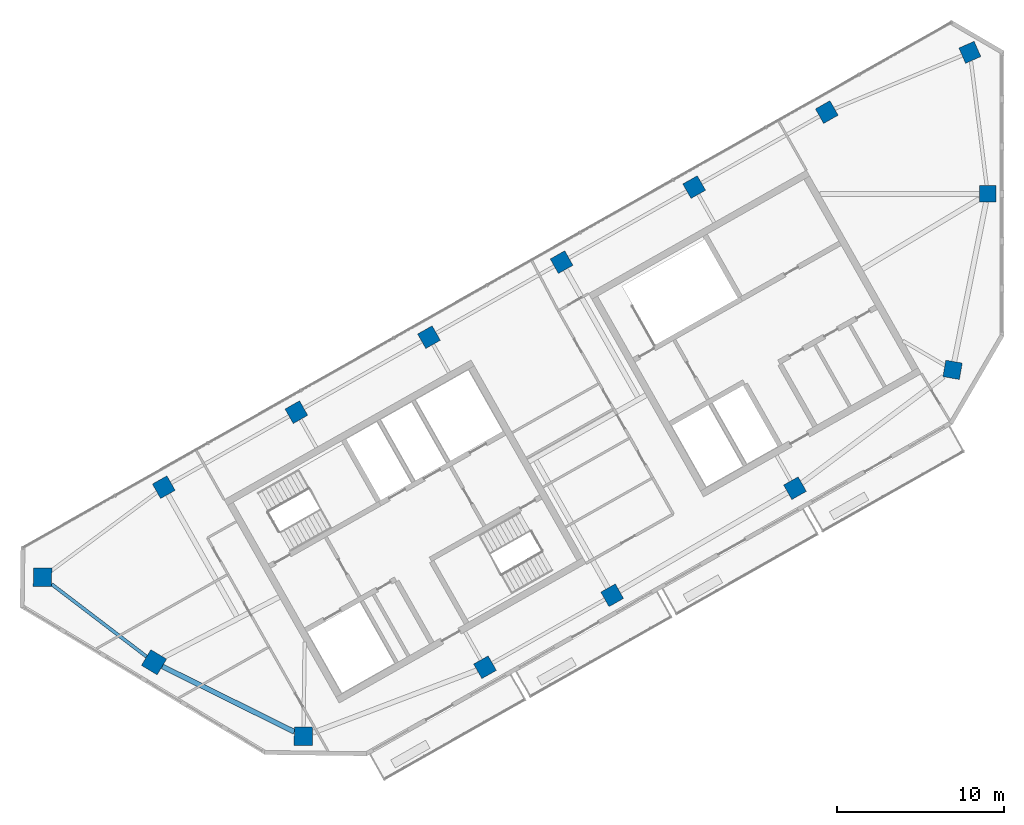
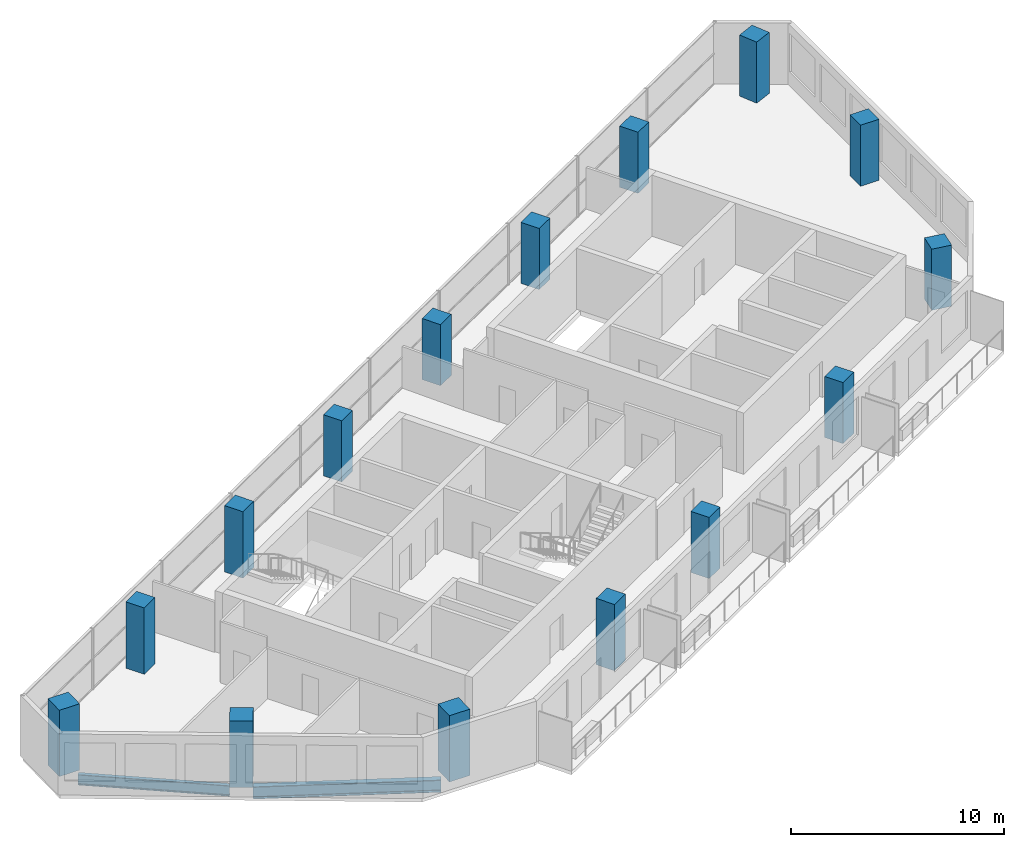
# One storey, part 1 of 10: 15 columns, 2 beams.
"""IFC4 building model written with IfcOpenShell, lengths in metres."""

import ifcopenshell
import ifcopenshell.guid

model = None  # the IFC model being written
_history = None  # IfcOwnerHistory: only IFC2X3 demands one
_inside = {}  # id of a spatial element -> (the spatial element, [elements in it])
_under = {}  # id of a project, library or spatial element -> (it, [spatial elements below it])
_declared = {}  # id of a project -> (the project, [libraries it declares])
_typed = {}  # id of a type object -> (the type object, [elements of that type])
_made_of = {}  # id of a material, layer set ... -> (it, [elements and type objects made of it])


def new_model(schema):
    """Start an empty IFC model of exactly this schema.

    Asked for "IFC4X3", IfcOpenShell would pick the latest addendum, in which some entities
    have other attributes; the version numbers below select the first issue.
    IFC2X3 requires an IfcOwnerHistory on every rooted entity: one is made here for all.
    """
    global model, _history
    if schema == "IFC4X3":
        model = ifcopenshell.file(schema_version=(4, 3, 0, 0))
    else:
        model = ifcopenshell.file(schema=schema)
    _inside.clear()
    _under.clear()
    _declared.clear()
    _typed.clear()
    _made_of.clear()
    _history = None
    if model.schema == "IFC2X3":
        org = make("IfcOrganization", Name="unknown")
        user = make(
            "IfcPersonAndOrganization",
            ThePerson=make("IfcPerson", FamilyName="unknown"),
            TheOrganization=org,
        )
        app = make(
            "IfcApplication",
            ApplicationDeveloper=org,
            Version="unknown",
            ApplicationFullName="unknown",
            ApplicationIdentifier="unknown",
        )
        _history = make(
            "IfcOwnerHistory",
            OwningUser=user,
            OwningApplication=app,
            ChangeAction="ADDED",
            CreationDate=0,
        )
    return model


def make(cls, **values):
    """One entity of the class cls with the attributes given. An attribute that is None is left unset."""
    return model.create_entity(
        cls, **{name: value for name, value in values.items() if value is not None}
    )


def rooted(cls, **values):
    """An entity with a GlobalId (a new one), such as an element, a storey or a relation."""
    return make(cls, GlobalId=ifcopenshell.guid.new(), OwnerHistory=_history, **values)


def si_unit(unit_type, name, prefix=None):
    """IfcSIUnit, for example si_unit("LENGTHUNIT", "METRE", prefix="MILLI")."""
    return make("IfcSIUnit", UnitType=unit_type, Prefix=prefix, Name=name)


def assignment(units):
    """IfcUnitAssignment: the units of a project."""
    return None if units is None else make("IfcUnitAssignment", Units=units)


def point(xyz):
    """IfcCartesianPoint."""
    return None if xyz is None else make("IfcCartesianPoint", Coordinates=xyz)


def direction(xyz):
    """IfcDirection."""
    return None if xyz is None else make("IfcDirection", DirectionRatios=xyz)


def frame(location, z_axis=None, x_axis=None):
    """IfcAxis2Placement3D, a coordinate frame: its origin and axes. An axis left out is left unset."""
    return make(
        "IfcAxis2Placement3D",
        Location=point(location),
        Axis=direction(z_axis),
        RefDirection=direction(x_axis),
    )


def frame_2d(location, x_axis=None):
    """IfcAxis2Placement2D, a coordinate frame in the plane: its origin and x axis."""
    return make(
        "IfcAxis2Placement2D", Location=point(location), RefDirection=direction(x_axis)
    )


def origin():
    """The frame at (0, 0, 0) with its axes left unset."""
    return frame((0.0, 0.0, 0.0))


def origin_2d():
    """The frame at (0, 0) in the plane with its x axis left unset."""
    return frame_2d((0.0, 0.0))


def place(relative_to, where):
    """IfcLocalPlacement: puts the frame where relative to a parent placement (None: the world)."""
    return make(
        "IfcLocalPlacement", PlacementRelTo=relative_to, RelativePlacement=where
    )


def context(
    kind, dimensions, precision=None, world=None, true_north=None, identifier=None
):
    """IfcGeometricRepresentationContext, for example the 3D "Model" context."""
    return make(
        "IfcGeometricRepresentationContext",
        ContextIdentifier=identifier,
        ContextType=kind,
        CoordinateSpaceDimension=dimensions,
        Precision=precision,
        WorldCoordinateSystem=world,
        TrueNorth=true_north,
    )


def subcontext(parent, identifier, kind, view, scale=None):
    """IfcGeometricRepresentationSubContext, for example "Body" below "Model"."""
    return make(
        "IfcGeometricRepresentationSubContext",
        ContextIdentifier=identifier,
        ContextType=kind,
        ParentContext=parent,
        TargetScale=scale,
        TargetView=view,
    )


def project(units=None, contexts=None):
    """IfcProject with its units and contexts."""
    return rooted(
        "IfcProject",
        Name="project",
        RepresentationContexts=contexts,
        UnitsInContext=assignment(units),
    )


def spatial(cls, under=None, at=None, **own):
    """A site, building, storey or space (cls), placed at a placement, below another one or the project."""
    s = rooted(cls, ObjectPlacement=at, **own)
    if under is not None:
        _under.setdefault(under.id(), (under, []))[1].append(s)
    return s


def profile(cls, at=None, kind="AREA", **sizes):
    """A parametric profile (cls). Its sizes go by their IFC names, for example OverallWidth=200.0."""
    return make(cls, ProfileType=kind, Position=at, **sizes)


def rectangle(**sizes):
    """IfcRectangleProfileDef."""
    return profile("IfcRectangleProfileDef", **sizes)


def i_section(**sizes):
    """IfcIShapeProfileDef."""
    return profile("IfcIShapeProfileDef", **sizes)


def extrude(swept, where, along, depth):
    """IfcExtrudedAreaSolid: the profile swept, set in the frame where, extruded along a direction by depth."""
    return make(
        "IfcExtrudedAreaSolid",
        SweptArea=swept,
        Position=where,
        ExtrudedDirection=direction(along),
        Depth=depth,
    )


def shape(context_of_items, identifier, shape_type, items):
    """IfcShapeRepresentation: the items that make up one representation, for example the "Body"."""
    return make(
        "IfcShapeRepresentation",
        ContextOfItems=context_of_items,
        RepresentationIdentifier=identifier,
        RepresentationType=shape_type,
        Items=items,
    )


def material(Name=None, Category=None):
    """IfcMaterial."""
    return make("IfcMaterial", Name=Name, Category=Category)


def material_profile(
    of_material, cross_section, Name=None, Category=None, Priority=None
):
    """IfcMaterialProfile: a cross section and its material."""
    return make(
        "IfcMaterialProfile",
        Name=Name,
        Material=of_material,
        Profile=cross_section,
        Priority=Priority,
        Category=Category,
    )


def profile_set(profiles, Name=None, composite=None):
    """IfcMaterialProfileSet."""
    return make(
        "IfcMaterialProfileSet",
        Name=Name,
        MaterialProfiles=profiles,
        CompositeProfile=composite,
    )


def made_of(thing, what):
    """Note that an element or type object is made of a material, layer set ...; save() writes the relation."""
    if what is not None:
        _made_of.setdefault(what.id(), (what, []))[1].append(thing)
    return thing


def type_object(cls, material=None, **own):
    """A type object (cls), such as IfcWallType, which elements share."""
    return made_of(rooted(cls, **own), material)


def element(
    cls,
    number,
    at=None,
    inside=None,
    cuts=None,
    type_object=None,
    material=None,
    context=None,
    identifier="Body",
    shape_type=None,
    held_by="IfcProductDefinitionShape",
    body=None,
    shapes=None,
    **own,
):
    """One element of the class cls, such as IfcWall. Its Tag is "e" and its number.

    at: its placement. inside: the storey or other place that contains it. cuts: it is an
    opening in that element (IfcRelVoidsElement). A single representation is given by context,
    identifier, shape_type and body (its items); several are given by shapes. held_by: the class
    of the entity that holds the representations. save() writes the other relations.
    """
    e = rooted(cls, Tag="e%d" % number, ObjectPlacement=at, **own)
    if body is not None:
        shapes = [shape(context, identifier, shape_type, body)]
    if shapes is not None:
        e.Representation = make(held_by, Representations=shapes)
    if inside is not None:
        _inside.setdefault(inside.id(), (inside, []))[1].append(e)
    if cuts is not None:
        rooted(
            "IfcRelVoidsElement", RelatingBuildingElement=cuts, RelatedOpeningElement=e
        )
    if type_object is not None:
        _typed.setdefault(type_object.id(), (type_object, []))[1].append(e)
    return made_of(e, material)


def aggregate(whole, parts):
    """IfcRelAggregates: a whole, such as a stair, and the parts it consists of."""
    return rooted("IfcRelAggregates", RelatingObject=whole, RelatedObjects=parts)


def save(model, path):
    """Write the relations noted so far, then the file.

    IfcRelAggregates (storeys below a building ...), IfcRelContainedInSpatialStructure (elements
    in a storey), IfcRelDefinesByType, IfcRelAssociatesMaterial and IfcRelDeclares: one each for
    every whole, place, type object, material and project.
    """
    for whole, parts in _under.values():
        aggregate(whole, parts)
    for where, things in _inside.values():
        rooted(
            "IfcRelContainedInSpatialStructure",
            RelatedElements=things,
            RelatingStructure=where,
        )
    for kind, things in _typed.values():
        rooted("IfcRelDefinesByType", RelatedObjects=things, RelatingType=kind)
    for what, things in _made_of.values():
        rooted("IfcRelAssociatesMaterial", RelatedObjects=things, RelatingMaterial=what)
    for by, libraries in _declared.values():
        rooted("IfcRelDeclares", RelatingContext=by, RelatedDefinitions=libraries)
    model.write(path)


model = new_model("IFC4")

# Units and contexts
model_context = context("Model", 3, precision=1e-05, world=origin(), true_north=direction((0.0, 1.0)))
body_context = subcontext(model_context, "Body", "Model", "MODEL_VIEW")
ifc_project = project(units=[si_unit("LENGTHUNIT", "METRE"), si_unit("AREAUNIT", "SQUARE_METRE"), si_unit("VOLUMEUNIT", "CUBIC_METRE"), si_unit("PLANEANGLEUNIT", "RADIAN"), si_unit("MASSUNIT", "GRAM", prefix="KILO")], contexts=[model_context])

# Site, building, storey
site_placement = place(None, origin())
site = spatial("IfcSite", under=ifc_project, at=site_placement, CompositionType="ELEMENT")
building_placement = place(site_placement, origin())
building = spatial("IfcBuilding", under=site, at=building_placement, Name="Binnacle Exchange Tower", CompositionType="ELEMENT")
storey_placement = place(building_placement, frame((0.0, 0.0, 343.10009765625)))
storey = spatial("IfcBuildingStorey", under=building, at=storey_placement, Name="L78", CompositionType="ELEMENT", Elevation=343.10009765625)

# Columns
ifc_material_1 = material(Name="Concrete C50/60", Category="concrete")
ifc_material_profile_1 = material_profile(ifc_material_1, rectangle(XDim=1.0, YDim=1.0, at=origin_2d()), Name="Mega column 1000x1000 C50/60")
ifc_profile_set_1 = profile_set([ifc_material_profile_1], Name="Concrete C50/60")
column_type_1 = type_object("IfcColumnType", Name="Mega column 1000x1000 C50/60", PredefinedType="COLUMN", material=ifc_profile_set_1)
for number, where, z_axis, x_axis, name in (
    (1, (-10.4951171875, 64.901611328125, 0.0), (0.0, 0.0, 1.0), (-0.87035569594, -0.492423560103, 0.0), "S:COL:MC38:L78"),
    (2, (-18.44140625, 60.406005859375, 0.0), (0.0, 0.0, 1.0), (-0.87035569594, -0.492423560103, 0.0), "S:COL:MC29:L78"),
    (3, (-26.3876953125, 55.91015625, 0.0), (0.0, 0.0, 1.0), (-0.87035569594, -0.492423560103, 0.0), "S:COL:MC21:L78"),
    (4, (-34.333740234375, 51.414306640625, 0.0), (0.0, 0.0, 1.0), (-0.87035569594, -0.492423560103, 0.0), "S:COL:MC13:L78"),
):
    element("IfcColumn", number, at=place(storey_placement, frame(where, z_axis=z_axis, x_axis=x_axis)), inside=storey, type_object=column_type_1, Name=name, PredefinedType="COLUMN", context=body_context, shape_type="SweptSolid", body=[
        extrude(rectangle(XDim=1.0, YDim=1.0, at=origin_2d()), origin(), (0.0, 0.0, 1.0), 3.5),
    ])
for number, where, z_axis, x_axis, name in (
    (5, (-42.280029296875, 46.918701171875, 0.0), (0.0, 0.0, 1.0), (-0.87035569594, -0.492423560103, 0.0), "S:COL:MC08:L78"),
    (6, (-50.226318359375, 42.4228515625, 0.0), (0.0, 0.0, 1.0), (-0.87035569594, -0.492423560103, 0.0), "S:COL:MC04:L78"),
    (7, (-30.9755859375, 31.63525390625, 0.0), (0.0, 0.0, 1.0), (0.87035569594, 0.492423560103, 0.0), "S:COL:MC07:L78"),
):
    element("IfcColumn", number, at=place(storey_placement, frame(where, z_axis=z_axis, x_axis=x_axis)), inside=storey, type_object=column_type_1, Name=name, PredefinedType="COLUMN", context=body_context, shape_type="SweptSolid", body=[
        extrude(rectangle(XDim=1.0, YDim=1.0, at=origin_2d()), origin(), (0.0, 0.0, 1.0), 3.7998046875),
    ])
for number, where, z_axis, x_axis, name in (
    (8, (-23.35595703125, 35.9462890625, 0.0), (0.0, 0.0, 1.0), (0.87035569594, 0.492423560103, 0.0), "S:COL:MC16:L78"),
    (9, (-2.955322265625, 49.45556640625, 0.0), (0.0, 0.0, 1.0), (-0.98522612636, 0.171258517854, 0.0), "S:COL:MC43:L78"),
    (10, (-0.85009765625, 60.0, 0.0), (0.0, 0.0, 1.0), (0.0, 1.0, 0.0), "S:COL:MC45:L78"),
    (11, (-1.920166015625, 68.4833984375, 0.0), (0.0, 0.0, 1.0), (-0.91471298536, -0.40410413808, 0.0), "S:COL:MC44:L78"),
    (12, (-12.39990234375, 42.36328125, 0.0), (0.0, 0.0, 1.0), (0.87035569594, 0.492423560103, 0.0), "S:COL:MC30:L78"),
):
    element("IfcColumn", number, at=place(storey_placement, frame(where, z_axis=z_axis, x_axis=x_axis)), inside=storey, type_object=column_type_1, Name=name, PredefinedType="COLUMN", context=body_context, shape_type="SweptSolid", body=[
        extrude(rectangle(XDim=1.0, YDim=1.0, at=origin_2d()), origin(), (0.0, 0.0, 1.0), 3.5),
    ])
ifc_material_profile_2 = material_profile(ifc_material_1, rectangle(XDim=1.10009765625, YDim=1.10009765625, at=origin_2d()), Name="Mega column 1100x1100 C50/60")
ifc_profile_set_2 = profile_set([ifc_material_profile_2], Name="Concrete C50/60")
column_type_2 = type_object("IfcColumnType", Name="Mega column 1100x1100 C50/60", PredefinedType="COLUMN", material=ifc_profile_set_2)
for number, where, z_axis, x_axis, name in (
    (13, (-57.492919921875, 37.02734375, 0.0), (0.0, 0.0, 1.0), (-0.013089595571, -0.999914327574, 0.0), "S:COL:MC02:L78"),
    (14, (-50.81201171875, 31.930908203125, 0.0), (0.0, 0.0, 1.0), (0.857167300702, -0.51503807491, 0.0), "S:COL:MC01:L78"),
    (15, (-41.857666015625, 27.494873046875, 0.0), (0.0, 0.0, 1.0), (0.999914327574, -0.013089595571, 0.0), "S:COL:MC03:L78"),
):
    element("IfcColumn", number, at=place(storey_placement, frame(where, z_axis=z_axis, x_axis=x_axis)), inside=storey, type_object=column_type_2, Name=name, PredefinedType="COLUMN", context=body_context, shape_type="SweptSolid", body=[
        extrude(rectangle(XDim=1.10009765625, YDim=1.10009765625, at=origin_2d()), origin(), (0.0, 0.0, 1.0), 3.7998046875),
    ])

# Beams
ifc_material_2 = material(Name="Steel S355 (SHN355)", Category="steel")
ifc_material_profile_3 = material_profile(ifc_material_2, i_section(OverallWidth=0.199951171875, OverallDepth=0.60009765625, WebThickness=0.010986328125, FlangeThickness=0.01708984375, FilletRadius=0.02197265625, at=origin_2d()), Name="H 600x200x11x17")
ifc_profile_set_3 = profile_set([ifc_material_profile_3], Name="Steel S355 (SHN355)")
beam_type_1 = type_object("IfcBeamType", Name="Edge girder H 600x200x11x17 Steel S355 (SHN355)", PredefinedType="SPANDREL", material=ifc_profile_set_3)
beam_1_placement = place(storey_placement, frame((-56.948486328125, 36.612060546875, -0.580078125), z_axis=(0.795078805768, -0.606506135681, 0.0), x_axis=(0.606506135681, 0.795078805768, 0.0)))
element("IfcBeam", 16, at=beam_1_placement, inside=storey, type_object=beam_type_1, Name="S:BM:edge:L78:004", PredefinedType="SPANDREL", context=body_context, shape_type="SweptSolid", body=[
    extrude(i_section(OverallWidth=0.199951171875, OverallDepth=0.60009765625, WebThickness=0.010986328125, FlangeThickness=0.01708984375, FilletRadius=0.02197265625, at=origin_2d()), origin(), (0.0, 0.0, 1.0), 7.164794921875),
])
ifc_material_profile_4 = material_profile(ifc_material_2, i_section(OverallWidth=0.300048828125, OverallDepth=0.699951171875, WebThickness=0.012939453125, FlangeThickness=0.02392578125, FilletRadius=0.028076171875, at=origin_2d()), Name="H 700x300x13x24")
ifc_profile_set_4 = profile_set([ifc_material_profile_4], Name="Steel S355 (SHN355)")
beam_type_2 = type_object("IfcBeamType", Name="Edge girder H 700x300x13x24 Steel S355 (SHN355)", PredefinedType="SPANDREL", material=ifc_profile_set_4)
beam_2_placement = place(storey_placement, frame((-50.3173828125, 31.685791015625, -0.630126953125), z_axis=(0.896057836822, -0.443937330115, 0.0), x_axis=(0.443937330115, 0.896057836822, 0.0)))
element("IfcBeam", 17, at=beam_2_placement, inside=storey, type_object=beam_type_2, Name="S:BM:edge:L78:006", PredefinedType="SPANDREL", context=body_context, shape_type="SweptSolid", body=[
    extrude(i_section(OverallWidth=0.300048828125, OverallDepth=0.699951171875, WebThickness=0.012939453125, FlangeThickness=0.02392578125, FilletRadius=0.028076171875, at=origin_2d()), origin(), (0.0, 0.0, 1.0), 8.8310546875),
])

save(model, "model.ifc")
